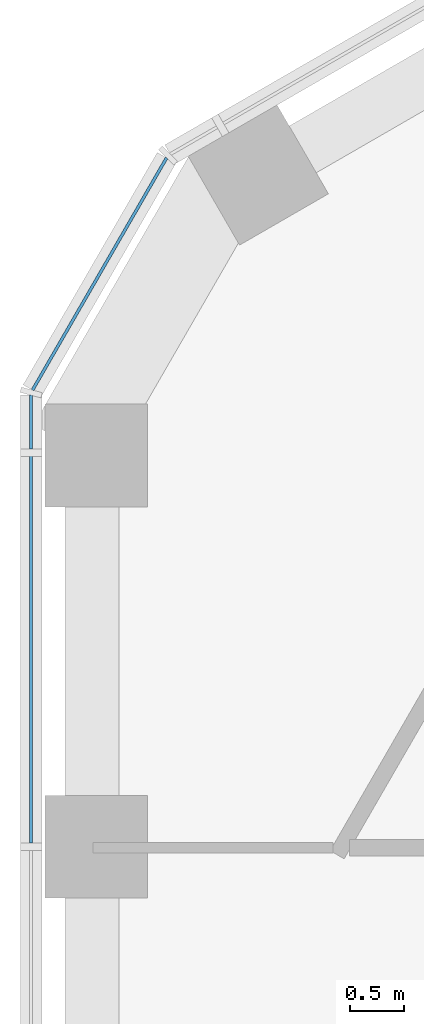
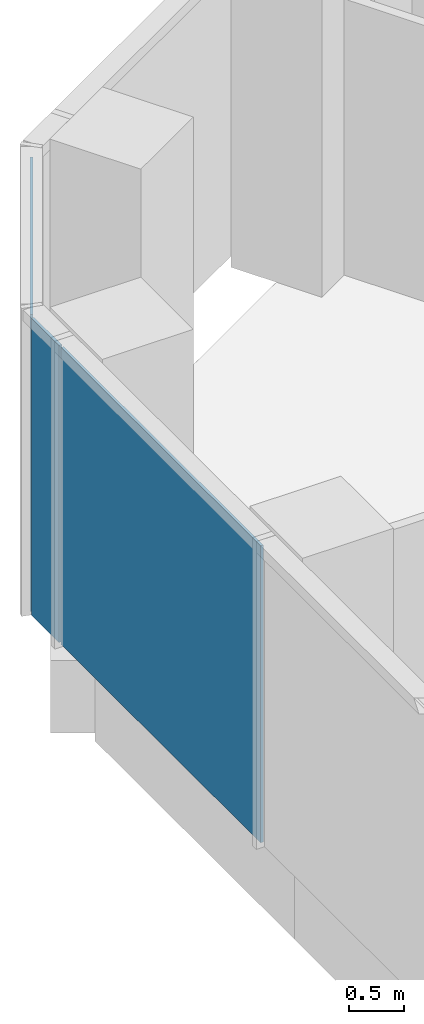
# One storey, part 9 of 18: 3 plates, 2 elements without a shape of their own.
"""IFC4 building model written with IfcOpenShell, lengths in metres."""

from ifc_helpers import new_model, si_unit, direction, frame, origin, origin_2d, place, context, subcontext, project, spatial, rectangle, extrude, material, layer, layer_set, type_object, element, aggregate, save


model = new_model("IFC4")

# Units and contexts
model_context = context("Model", 3, precision=1e-05, world=origin(), true_north=direction((0.0, 1.0)))
body_context = subcontext(model_context, "Body", "Model", "MODEL_VIEW")
ifc_project = project(units=[si_unit("LENGTHUNIT", "METRE"), si_unit("AREAUNIT", "SQUARE_METRE"), si_unit("VOLUMEUNIT", "CUBIC_METRE"), si_unit("PLANEANGLEUNIT", "RADIAN"), si_unit("MASSUNIT", "GRAM", prefix="KILO")], contexts=[model_context])

# Site, building, storey
site_placement = place(None, origin())
site = spatial("IfcSite", under=ifc_project, at=site_placement, CompositionType="ELEMENT")
building_placement = place(site_placement, origin())
building = spatial("IfcBuilding", under=site, at=building_placement, Name="Ayvan Gate Tower", CompositionType="ELEMENT")
storey_placement = place(building_placement, frame((0.0, 0.0, 179.89990234375)))
storey = spatial("IfcBuildingStorey", under=building, at=storey_placement, Name="L48", CompositionType="ELEMENT", Elevation=179.89990234375)

# Curtain wall, plate
ifc_material_1 = material(Name="Bronze anodised aluminium", Category="aluminium")
ifc_layer_1 = layer(ifc_material_1, 0.199951171875)
ifc_layer_set_1 = layer_set([ifc_layer_1], Name="Bronze anodised aluminium")
curtain_wall_type_1 = type_object("IfcCurtainWallType", Name="Stick curtain wall CW-2", PredefinedType="NOTDEFINED", material=ifc_layer_set_1)
curtain_wall_1_placement = place(storey_placement, origin())
curtain_wall_1 = element("IfcCurtainWall", 1, at=curtain_wall_1_placement, inside=storey, type_object=curtain_wall_type_1, Name="Stick curtain wall CW-2 L48", PredefinedType="NOTDEFINED")
ifc_material_2 = material(Name="Clear low-iron laminated glass", Category="glass")
ifc_layer_2 = layer(ifc_material_2, 0.028076171875)
ifc_layer_set_2 = layer_set([ifc_layer_2], Name="Clear low-iron laminated glass")
plate_type_1 = type_object("IfcPlateType", Name="Stick curtain wall CW-2 glass panel", PredefinedType="CURTAIN_PANEL", material=ifc_layer_set_2)
plate_1_placement = place(storey_placement, frame((-18.286865234375, 7.27685546875, 0.0), z_axis=(0.0, 0.0, 1.0), x_axis=(0.0, -1.0, 0.0)))
plate_1 = element("IfcPlate", 2, at=plate_1_placement, type_object=plate_type_1, Name="CW-2 glass panel 1", PredefinedType="CURTAIN_PANEL", context=body_context, shape_type="SweptSolid", body=[
    extrude(rectangle(XDim=3.612060546875, YDim=0.028076171875, at=origin_2d()), origin(), (0.0, 0.0, 1.0), 3.280029296875),
])
aggregate(curtain_wall_1, [plate_1])

# Curtain wall, plates
ifc_layer_3 = layer(ifc_material_1, 0.199951171875)
ifc_layer_set_3 = layer_set([ifc_layer_3], Name="Bronze anodised aluminium")
curtain_wall_type_2 = type_object("IfcCurtainWallType", Name="Stick curtain wall CW-6", PredefinedType="NOTDEFINED", material=ifc_layer_set_3)
curtain_wall_2_placement = place(storey_placement, origin())
curtain_wall_2 = element("IfcCurtainWall", 3, at=curtain_wall_2_placement, inside=storey, type_object=curtain_wall_type_2, Name="Stick curtain wall CW-6 L48", PredefinedType="NOTDEFINED")
ifc_layer_4 = layer(ifc_material_2, 0.028076171875)
ifc_layer_set_4 = layer_set([ifc_layer_4], Name="Clear low-iron laminated glass")
plate_type_2 = type_object("IfcPlateType", Name="Stick curtain wall CW-6 glass panel", PredefinedType="CURTAIN_PANEL", material=ifc_layer_set_4)
plate_2_placement = place(storey_placement, frame((-17.653076171875, 10.740234375, 0.0), z_axis=(0.0, 0.0, 1.0), x_axis=(-0.5, -0.866025403784, 0.0)))
plate_2 = element("IfcPlate", 4, at=plate_2_placement, type_object=plate_type_2, Name="CW-6 glass panel 2", PredefinedType="CURTAIN_PANEL", context=body_context, shape_type="SweptSolid", body=[
    extrude(rectangle(XDim=2.484619140625, YDim=0.028076171875, at=origin_2d()), origin(), (0.0, 0.0, 1.0), 3.280029296875),
])
plate_3_placement = place(storey_placement, frame((-18.286865234375, 9.36767578125, 0.0), z_axis=(0.0, 0.0, 1.0), x_axis=(0.0, -1.0, 0.0)))
plate_3 = element("IfcPlate", 5, at=plate_3_placement, type_object=plate_type_2, Name="CW-6 glass panel 3", PredefinedType="CURTAIN_PANEL", context=body_context, shape_type="SweptSolid", body=[
    extrude(rectangle(XDim=0.5, YDim=0.028076171875, at=origin_2d()), origin(), (0.0, 0.0, 1.0), 3.280029296875),
])
aggregate(curtain_wall_2, [plate_2, plate_3])

save(model, "model.ifc")
